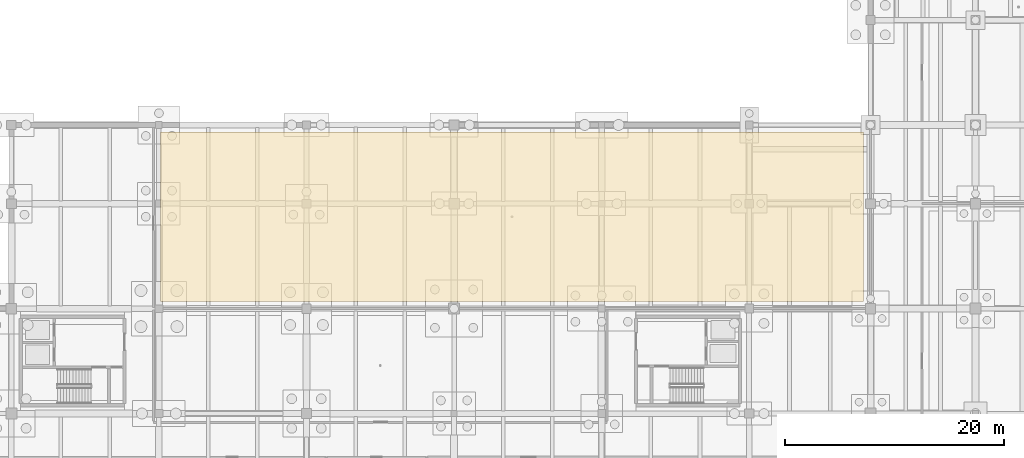
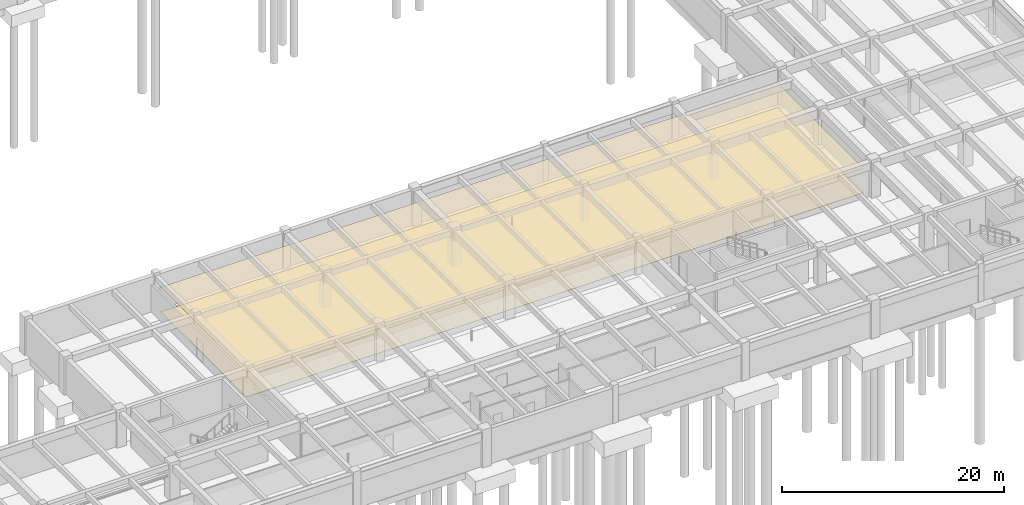
# One storey, part 36 of 41: 2 coverings.
"""IFC4 building model written with IfcOpenShell, lengths in metres."""

from ifc_helpers import new_model, si_unit, direction, frame, origin, place, context, subcontext, project, spatial, polyline, outline, extrude, material, layer, layer_set, type_object, element, save


model = new_model("IFC4")

# Units and contexts
model_context = context("Model", 3, precision=1e-05, world=origin(), true_north=direction((0.0, 1.0)))
body_context = subcontext(model_context, "Body", "Model", "MODEL_VIEW")
ifc_project = project(units=[si_unit("LENGTHUNIT", "METRE"), si_unit("AREAUNIT", "SQUARE_METRE"), si_unit("VOLUMEUNIT", "CUBIC_METRE"), si_unit("PLANEANGLEUNIT", "RADIAN"), si_unit("MASSUNIT", "GRAM", prefix="KILO")], contexts=[model_context])

# Site, building, storey
site_placement = place(None, origin())
site = spatial("IfcSite", under=ifc_project, at=site_placement, CompositionType="ELEMENT")
building_placement = place(site_placement, origin())
building = spatial("IfcBuilding", under=site, at=building_placement, Name="Fikremerkos Civic Library", CompositionType="ELEMENT")
storey_placement = place(building_placement, frame((0.0, 0.0, -8.39990234375)))
storey = spatial("IfcBuildingStorey", under=building, at=storey_placement, Name="B02", CompositionType="ELEMENT", Elevation=-8.39990234375)

# Coverings
ifc_material_1 = material(Name="Perforated acoustic cedar timber", Category="wood")
ifc_layer_1 = layer(ifc_material_1, 0.02490234375, Name="Perforated acoustic cedar timber")
ifc_layer_set_1 = layer_set([ifc_layer_1], Name="Perforated acoustic cedar timber")
covering_type_1 = type_object("IfcCoveringType", Name="Acoustic perforated timber ceiling CLG-01", PredefinedType="CEILING", material=ifc_layer_set_1)
covering_1_placement = place(storey_placement, frame((0.0, 0.0, 2.7099609375)))
element("IfcCovering", 1, at=covering_1_placement, inside=storey, type_object=covering_type_1, Name="Acoustic ceiling Special Collections Cold Vault", PredefinedType="CEILING", context=body_context, shape_type="SweptSolid", body=[
    extrude(outline(polyline([(59.85009765625, 31.85009765625), (59.85009765625, 47.35009765625), (124.14990234375, 47.35009765625), (124.14990234375, 31.85009765625), (59.85009765625, 31.85009765625)])), origin(), (0.0, 0.0, 1.0), 0.02490234375),
])
ifc_material_2 = material(Name="Polished basalt terrazzo", Category="masonry")
ifc_layer_2 = layer(ifc_material_2, 0.030029296875, Name="Polished basalt terrazzo")
ifc_layer_set_2 = layer_set([ifc_layer_2], Name="Polished basalt terrazzo")
covering_type_2 = type_object("IfcCoveringType", Name="Polished basalt terrazzo flooring FLR-01", PredefinedType="FLOORING", material=ifc_layer_set_2)
covering_2_placement = place(storey_placement, origin())
element("IfcCovering", 2, at=covering_2_placement, inside=storey, type_object=covering_type_2, Name="Terrazzo floor finish Special Collections Cold Vault", PredefinedType="FLOORING", context=body_context, shape_type="SweptSolid", body=[
    extrude(outline(polyline([(59.85009765625, 31.85009765625), (59.85009765625, 47.35009765625), (124.14990234375, 47.35009765625), (124.14990234375, 31.85009765625), (59.85009765625, 31.85009765625)])), origin(), (0.0, 0.0, 1.0), 0.02978515625),
])

save(model, "model.ifc")
